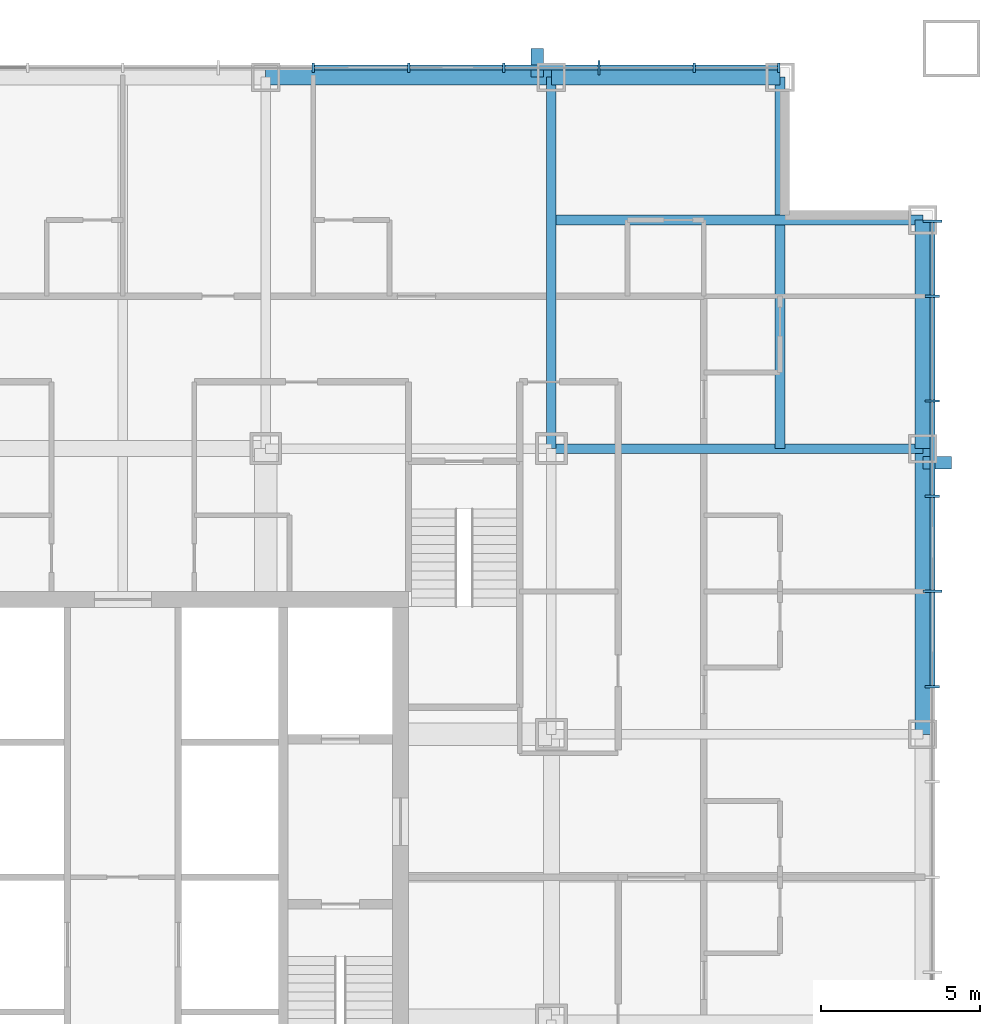
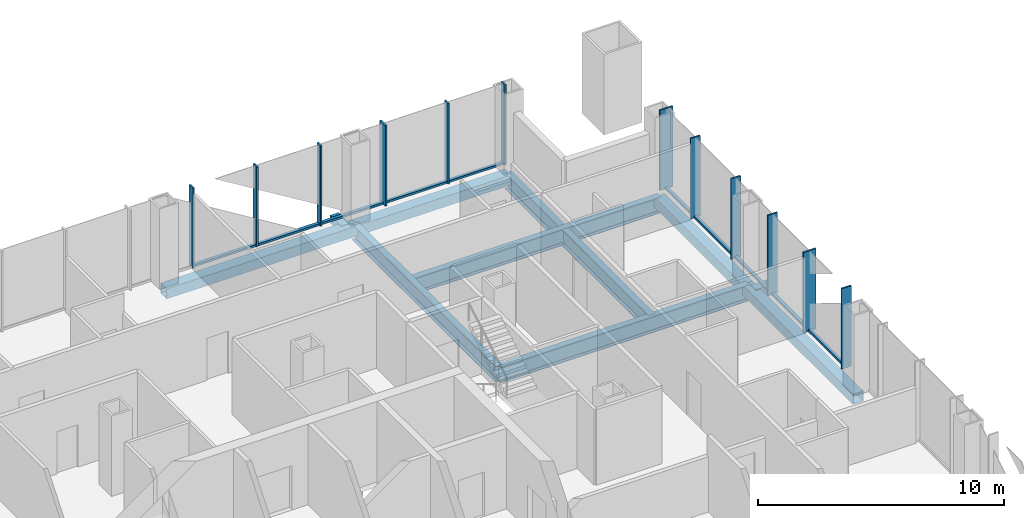
# One storey, part 5 of 13: 24 members, 8 beams, 2 elements without a shape of their own.
"""IFC4 building model written with IfcOpenShell, lengths in metres."""

import ifcopenshell
import ifcopenshell.guid

model = None  # the IFC model being written
_history = None  # IfcOwnerHistory: only IFC2X3 demands one
_inside = {}  # id of a spatial element -> (the spatial element, [elements in it])
_under = {}  # id of a project, library or spatial element -> (it, [spatial elements below it])
_declared = {}  # id of a project -> (the project, [libraries it declares])
_typed = {}  # id of a type object -> (the type object, [elements of that type])
_made_of = {}  # id of a material, layer set ... -> (it, [elements and type objects made of it])


def new_model(schema):
    """Start an empty IFC model of exactly this schema.

    Asked for "IFC4X3", IfcOpenShell would pick the latest addendum, in which some entities
    have other attributes; the version numbers below select the first issue.
    IFC2X3 requires an IfcOwnerHistory on every rooted entity: one is made here for all.
    """
    global model, _history
    if schema == "IFC4X3":
        model = ifcopenshell.file(schema_version=(4, 3, 0, 0))
    else:
        model = ifcopenshell.file(schema=schema)
    _inside.clear()
    _under.clear()
    _declared.clear()
    _typed.clear()
    _made_of.clear()
    _history = None
    if model.schema == "IFC2X3":
        org = make("IfcOrganization", Name="unknown")
        user = make(
            "IfcPersonAndOrganization",
            ThePerson=make("IfcPerson", FamilyName="unknown"),
            TheOrganization=org,
        )
        app = make(
            "IfcApplication",
            ApplicationDeveloper=org,
            Version="unknown",
            ApplicationFullName="unknown",
            ApplicationIdentifier="unknown",
        )
        _history = make(
            "IfcOwnerHistory",
            OwningUser=user,
            OwningApplication=app,
            ChangeAction="ADDED",
            CreationDate=0,
        )
    return model


def make(cls, **values):
    """One entity of the class cls with the attributes given. An attribute that is None is left unset."""
    return model.create_entity(
        cls, **{name: value for name, value in values.items() if value is not None}
    )


def rooted(cls, **values):
    """An entity with a GlobalId (a new one), such as an element, a storey or a relation."""
    return make(cls, GlobalId=ifcopenshell.guid.new(), OwnerHistory=_history, **values)


def si_unit(unit_type, name, prefix=None):
    """IfcSIUnit, for example si_unit("LENGTHUNIT", "METRE", prefix="MILLI")."""
    return make("IfcSIUnit", UnitType=unit_type, Prefix=prefix, Name=name)


def assignment(units):
    """IfcUnitAssignment: the units of a project."""
    return None if units is None else make("IfcUnitAssignment", Units=units)


def point(xyz):
    """IfcCartesianPoint."""
    return None if xyz is None else make("IfcCartesianPoint", Coordinates=xyz)


def direction(xyz):
    """IfcDirection."""
    return None if xyz is None else make("IfcDirection", DirectionRatios=xyz)


def frame(location, z_axis=None, x_axis=None):
    """IfcAxis2Placement3D, a coordinate frame: its origin and axes. An axis left out is left unset."""
    return make(
        "IfcAxis2Placement3D",
        Location=point(location),
        Axis=direction(z_axis),
        RefDirection=direction(x_axis),
    )


def frame_2d(location, x_axis=None):
    """IfcAxis2Placement2D, a coordinate frame in the plane: its origin and x axis."""
    return make(
        "IfcAxis2Placement2D", Location=point(location), RefDirection=direction(x_axis)
    )


def origin():
    """The frame at (0, 0, 0) with its axes left unset."""
    return frame((0.0, 0.0, 0.0))


def origin_2d():
    """The frame at (0, 0) in the plane with its x axis left unset."""
    return frame_2d((0.0, 0.0))


def place(relative_to, where):
    """IfcLocalPlacement: puts the frame where relative to a parent placement (None: the world)."""
    return make(
        "IfcLocalPlacement", PlacementRelTo=relative_to, RelativePlacement=where
    )


def context(
    kind, dimensions, precision=None, world=None, true_north=None, identifier=None
):
    """IfcGeometricRepresentationContext, for example the 3D "Model" context."""
    return make(
        "IfcGeometricRepresentationContext",
        ContextIdentifier=identifier,
        ContextType=kind,
        CoordinateSpaceDimension=dimensions,
        Precision=precision,
        WorldCoordinateSystem=world,
        TrueNorth=true_north,
    )


def subcontext(parent, identifier, kind, view, scale=None):
    """IfcGeometricRepresentationSubContext, for example "Body" below "Model"."""
    return make(
        "IfcGeometricRepresentationSubContext",
        ContextIdentifier=identifier,
        ContextType=kind,
        ParentContext=parent,
        TargetScale=scale,
        TargetView=view,
    )


def project(units=None, contexts=None):
    """IfcProject with its units and contexts."""
    return rooted(
        "IfcProject",
        Name="project",
        RepresentationContexts=contexts,
        UnitsInContext=assignment(units),
    )


def spatial(cls, under=None, at=None, **own):
    """A site, building, storey or space (cls), placed at a placement, below another one or the project."""
    s = rooted(cls, ObjectPlacement=at, **own)
    if under is not None:
        _under.setdefault(under.id(), (under, []))[1].append(s)
    return s


def profile(cls, at=None, kind="AREA", **sizes):
    """A parametric profile (cls). Its sizes go by their IFC names, for example OverallWidth=200.0."""
    return make(cls, ProfileType=kind, Position=at, **sizes)


def rectangle(**sizes):
    """IfcRectangleProfileDef."""
    return profile("IfcRectangleProfileDef", **sizes)


def hollow_rectangle(**sizes):
    """IfcRectangleHollowProfileDef."""
    return profile("IfcRectangleHollowProfileDef", **sizes)


def i_section(**sizes):
    """IfcIShapeProfileDef."""
    return profile("IfcIShapeProfileDef", **sizes)


def extrude(swept, where, along, depth):
    """IfcExtrudedAreaSolid: the profile swept, set in the frame where, extruded along a direction by depth."""
    return make(
        "IfcExtrudedAreaSolid",
        SweptArea=swept,
        Position=where,
        ExtrudedDirection=direction(along),
        Depth=depth,
    )


def shape(context_of_items, identifier, shape_type, items):
    """IfcShapeRepresentation: the items that make up one representation, for example the "Body"."""
    return make(
        "IfcShapeRepresentation",
        ContextOfItems=context_of_items,
        RepresentationIdentifier=identifier,
        RepresentationType=shape_type,
        Items=items,
    )


def material(Name=None, Category=None):
    """IfcMaterial."""
    return make("IfcMaterial", Name=Name, Category=Category)


def layer(
    of_material, thickness, ventilated=None, Name=None, Category=None, Priority=None
):
    """IfcMaterialLayer: one layer of a wall or slab, of a material (None: an air gap)."""
    return make(
        "IfcMaterialLayer",
        Material=of_material,
        LayerThickness=thickness,
        IsVentilated=ventilated,
        Name=Name,
        Category=Category,
        Priority=Priority,
    )


def layer_set(layers, Name=None):
    """IfcMaterialLayerSet."""
    return make("IfcMaterialLayerSet", MaterialLayers=layers, LayerSetName=Name)


def material_profile(
    of_material, cross_section, Name=None, Category=None, Priority=None
):
    """IfcMaterialProfile: a cross section and its material."""
    return make(
        "IfcMaterialProfile",
        Name=Name,
        Material=of_material,
        Profile=cross_section,
        Priority=Priority,
        Category=Category,
    )


def profile_set(profiles, Name=None, composite=None):
    """IfcMaterialProfileSet."""
    return make(
        "IfcMaterialProfileSet",
        Name=Name,
        MaterialProfiles=profiles,
        CompositeProfile=composite,
    )


def made_of(thing, what):
    """Note that an element or type object is made of a material, layer set ...; save() writes the relation."""
    if what is not None:
        _made_of.setdefault(what.id(), (what, []))[1].append(thing)
    return thing


def type_object(cls, material=None, **own):
    """A type object (cls), such as IfcWallType, which elements share."""
    return made_of(rooted(cls, **own), material)


def element(
    cls,
    number,
    at=None,
    inside=None,
    cuts=None,
    type_object=None,
    material=None,
    context=None,
    identifier="Body",
    shape_type=None,
    held_by="IfcProductDefinitionShape",
    body=None,
    shapes=None,
    **own,
):
    """One element of the class cls, such as IfcWall. Its Tag is "e" and its number.

    at: its placement. inside: the storey or other place that contains it. cuts: it is an
    opening in that element (IfcRelVoidsElement). A single representation is given by context,
    identifier, shape_type and body (its items); several are given by shapes. held_by: the class
    of the entity that holds the representations. save() writes the other relations.
    """
    e = rooted(cls, Tag="e%d" % number, ObjectPlacement=at, **own)
    if body is not None:
        shapes = [shape(context, identifier, shape_type, body)]
    if shapes is not None:
        e.Representation = make(held_by, Representations=shapes)
    if inside is not None:
        _inside.setdefault(inside.id(), (inside, []))[1].append(e)
    if cuts is not None:
        rooted(
            "IfcRelVoidsElement", RelatingBuildingElement=cuts, RelatedOpeningElement=e
        )
    if type_object is not None:
        _typed.setdefault(type_object.id(), (type_object, []))[1].append(e)
    return made_of(e, material)


def aggregate(whole, parts):
    """IfcRelAggregates: a whole, such as a stair, and the parts it consists of."""
    return rooted("IfcRelAggregates", RelatingObject=whole, RelatedObjects=parts)


def save(model, path):
    """Write the relations noted so far, then the file.

    IfcRelAggregates (storeys below a building ...), IfcRelContainedInSpatialStructure (elements
    in a storey), IfcRelDefinesByType, IfcRelAssociatesMaterial and IfcRelDeclares: one each for
    every whole, place, type object, material and project.
    """
    for whole, parts in _under.values():
        aggregate(whole, parts)
    for where, things in _inside.values():
        rooted(
            "IfcRelContainedInSpatialStructure",
            RelatedElements=things,
            RelatingStructure=where,
        )
    for kind, things in _typed.values():
        rooted("IfcRelDefinesByType", RelatedObjects=things, RelatingType=kind)
    for what, things in _made_of.values():
        rooted("IfcRelAssociatesMaterial", RelatedObjects=things, RelatingMaterial=what)
    for by, libraries in _declared.values():
        rooted("IfcRelDeclares", RelatingContext=by, RelatedDefinitions=libraries)
    model.write(path)


model = new_model("IFC4")

# Units and contexts
model_context = context("Model", 3, precision=1e-05, world=origin(), true_north=direction((0.0, 1.0)))
body_context = subcontext(model_context, "Body", "Model", "MODEL_VIEW")
ifc_project = project(units=[si_unit("LENGTHUNIT", "METRE"), si_unit("AREAUNIT", "SQUARE_METRE"), si_unit("VOLUMEUNIT", "CUBIC_METRE"), si_unit("PLANEANGLEUNIT", "RADIAN"), si_unit("MASSUNIT", "GRAM", prefix="KILO")], contexts=[model_context])

# Site, building, storey
site_placement = place(None, origin())
site = spatial("IfcSite", under=ifc_project, at=site_placement, CompositionType="ELEMENT")
building_placement = place(site_placement, origin())
building = spatial("IfcBuilding", under=site, at=building_placement, Name="Malebo Sky Hospital", CompositionType="ELEMENT")
storey_placement = place(building_placement, frame((0.0, 0.0, 39.0)))
storey = spatial("IfcBuildingStorey", under=building, at=storey_placement, Name="L08", CompositionType="ELEMENT", Elevation=39.0)

# Curtain wall, members
ifc_material_1 = material(Name="Anodised aluminium, natural silver", Category="aluminium")
ifc_layer_1 = layer(ifc_material_1, 0.25)
ifc_layer_set_1 = layer_set([ifc_layer_1], Name="WARD CURTAIN WALL NORTH AND SOUTH")
curtain_wall_type_1 = type_object("IfcCurtainWallType", Name="WARD CURTAIN WALL NORTH AND SOUTH", PredefinedType="NOTDEFINED", material=ifc_layer_set_1)
curtain_wall_1_placement = place(storey_placement, origin())
curtain_wall_1 = element("IfcCurtainWall", 1, at=curtain_wall_1_placement, inside=storey, type_object=curtain_wall_type_1, Name="NS curtain wall N", PredefinedType="NOTDEFINED")
ifc_material_profile_1 = material_profile(ifc_material_1, rectangle(XDim=0.14990234375, YDim=0.10009765625, at=origin_2d()), Name="ALUMINIUM TRANSOM 150x100")
ifc_profile_set_1 = profile_set([ifc_material_profile_1], Name="Anodised aluminium, natural silver")
member_type_1 = type_object("IfcMemberType", Name="ALUMINIUM TRANSOM 150x100", PredefinedType="USERDEFINED", material=ifc_profile_set_1)
member_1_placement = place(storey_placement, frame((66.03759765625, 87.5, 0.050048828125), z_axis=(1.0, 0.0, 0.0), x_axis=(0.0, 1.0, 0.0)))
member_1 = element("IfcMember", 2, at=member_1_placement, type_object=member_type_1, Name="Transom 10", ObjectType="TRANSOM", PredefinedType="USERDEFINED", context=body_context, shape_type="SweptSolid", body=[
    extrude(rectangle(XDim=0.14990234375, YDim=0.10009765625, at=origin_2d()), origin(), (0.0, 0.0, 1.0), 2.9248046875),
])
member_2_placement = place(storey_placement, frame((69.03759765625, 87.5, 0.050048828125), z_axis=(1.0, 0.0, 0.0), x_axis=(0.0, 1.0, 0.0)))
member_2 = element("IfcMember", 3, at=member_2_placement, type_object=member_type_1, Name="Transom 11", ObjectType="TRANSOM", PredefinedType="USERDEFINED", context=body_context, shape_type="SweptSolid", body=[
    extrude(rectangle(XDim=0.14990234375, YDim=0.10009765625, at=origin_2d()), origin(), (0.0, 0.0, 1.0), 2.9248046875),
])
member_3_placement = place(storey_placement, frame((72.03759765625, 87.5, 0.050048828125), z_axis=(1.0, 0.0, 0.0), x_axis=(0.0, 1.0, 0.0)))
member_3 = element("IfcMember", 4, at=member_3_placement, type_object=member_type_1, Name="Transom 12", ObjectType="TRANSOM", PredefinedType="USERDEFINED", context=body_context, shape_type="SweptSolid", body=[
    extrude(rectangle(XDim=0.14990234375, YDim=0.10009765625, at=origin_2d()), origin(), (0.0, 0.0, 1.0), 2.9248046875),
])
member_4_placement = place(storey_placement, frame((75.03759765625, 87.5, 0.050048828125), z_axis=(1.0, 0.0, 0.0), x_axis=(0.0, 1.0, 0.0)))
member_4 = element("IfcMember", 5, at=member_4_placement, type_object=member_type_1, Name="Transom 13", ObjectType="TRANSOM", PredefinedType="USERDEFINED", context=body_context, shape_type="SweptSolid", body=[
    extrude(rectangle(XDim=0.14990234375, YDim=0.10009765625, at=origin_2d()), origin(), (0.0, 0.0, 1.0), 2.9248046875),
])
member_5_placement = place(storey_placement, frame((78.03759765625, 87.5, 0.050048828125), z_axis=(1.0, 0.0, 0.0), x_axis=(0.0, 1.0, 0.0)))
member_5 = element("IfcMember", 6, at=member_5_placement, type_object=member_type_1, Name="Transom 14", ObjectType="TRANSOM", PredefinedType="USERDEFINED", context=body_context, shape_type="SweptSolid", body=[
    extrude(rectangle(XDim=0.14990234375, YDim=0.10009765625, at=origin_2d()), origin(), (0.0, 0.0, 1.0), 2.58740234375),
])

ifc_layer_2 = layer(ifc_material_1, 0.25)
ifc_layer_set_2 = layer_set([ifc_layer_2], Name="WARD CURTAIN WALL EAST AND WEST")
curtain_wall_type_2 = type_object("IfcCurtainWallType", Name="WARD CURTAIN WALL EAST AND WEST", PredefinedType="NOTDEFINED", material=ifc_layer_set_2)
curtain_wall_2_placement = place(storey_placement, origin())
curtain_wall_2 = element("IfcCurtainWall", 7, at=curtain_wall_2_placement, inside=storey, type_object=curtain_wall_type_2, Name="EW curtain wall E", PredefinedType="NOTDEFINED")
member_6_placement = place(storey_placement, frame((85.5, 82.625, 0.050048828125), z_axis=(0.0, -1.0, 0.0), x_axis=(1.0, 0.0, 0.0)))
member_6 = element("IfcMember", 8, at=member_6_placement, type_object=member_type_1, Name="Transom 1", ObjectType="TRANSOM", PredefinedType="USERDEFINED", context=body_context, shape_type="SweptSolid", body=[
    extrude(rectangle(XDim=0.14990234375, YDim=0.10009765625, at=origin_2d()), origin(), (0.0, 0.0, 1.0), 2.28759765625),
])
member_7_placement = place(storey_placement, frame((85.5, 80.262451171875, 0.050048828125), z_axis=(0.0, -1.0, 0.0), x_axis=(1.0, 0.0, 0.0)))
member_7 = element("IfcMember", 9, at=member_7_placement, type_object=member_type_1, Name="Transom 2", ObjectType="TRANSOM", PredefinedType="USERDEFINED", context=body_context, shape_type="SweptSolid", body=[
    extrude(rectangle(XDim=0.14990234375, YDim=0.10009765625, at=origin_2d()), origin(), (0.0, 0.0, 1.0), 3.224853515625),
])
member_8_placement = place(storey_placement, frame((85.5, 76.96240234375, 0.050048828125), z_axis=(0.0, -1.0, 0.0), x_axis=(1.0, 0.0, 0.0)))
member_8 = element("IfcMember", 10, at=member_8_placement, type_object=member_type_1, Name="Transom 3", ObjectType="TRANSOM", PredefinedType="USERDEFINED", context=body_context, shape_type="SweptSolid", body=[
    extrude(rectangle(XDim=0.14990234375, YDim=0.10009765625, at=origin_2d()), origin(), (0.0, 0.0, 1.0), 2.9248046875),
])
member_9_placement = place(storey_placement, frame((85.5, 73.96240234375, 0.050048828125), z_axis=(0.0, -1.0, 0.0), x_axis=(1.0, 0.0, 0.0)))
member_9 = element("IfcMember", 11, at=member_9_placement, type_object=member_type_1, Name="Transom 4", ObjectType="TRANSOM", PredefinedType="USERDEFINED", context=body_context, shape_type="SweptSolid", body=[
    extrude(rectangle(XDim=0.14990234375, YDim=0.10009765625, at=origin_2d()), origin(), (0.0, 0.0, 1.0), 2.9248046875),
])
member_10_placement = place(storey_placement, frame((85.5, 70.96240234375, 0.050048828125), z_axis=(0.0, -1.0, 0.0), x_axis=(1.0, 0.0, 0.0)))
member_10 = element("IfcMember", 12, at=member_10_placement, type_object=member_type_1, Name="Transom 5", ObjectType="TRANSOM", PredefinedType="USERDEFINED", context=body_context, shape_type="SweptSolid", body=[
    extrude(rectangle(XDim=0.14990234375, YDim=0.10009765625, at=origin_2d()), origin(), (0.0, 0.0, 1.0), 2.9248046875),
])

# Members
ifc_material_2 = material(Name="Steel S355", Category="steel")
ifc_material_profile_2 = material_profile(ifc_material_2, hollow_rectangle(XDim=0.39990234375, YDim=0.39990234375, WallThickness=0.02001953125, at=origin_2d()), Name="SHS 400x20")
ifc_profile_set_2 = profile_set([ifc_material_profile_2], Name="Steel S355")
member_type_2 = type_object("IfcMemberType", Name="BRACE STRUT SHS 400x20", PredefinedType="STRUT", material=ifc_profile_set_2)
for number, where, z_axis, x_axis, name in (
    (13, (73.050048828125, 88.10009765625, -0.39990234375), (0.0, -1.0, 0.0), (1.0, 0.0, 0.0), "Brace strut AN1 L08"),
    (14, (86.10009765625, 75.050048828125, -0.39990234375), (-1.0, 0.0, 0.0), (0.0, -1.0, 0.0), "Brace strut AE2 L08"),
):
    element("IfcMember", number, at=place(storey_placement, frame(where, z_axis=z_axis, x_axis=x_axis)), inside=storey, type_object=member_type_2, Name=name, PredefinedType="STRUT", context=body_context, shape_type="SweptSolid", body=[
        extrude(hollow_rectangle(XDim=0.39990234375, YDim=0.39990234375, WallThickness=0.02001953125, at=origin_2d()), origin(), (0.0, 0.0, 1.0), 0.900146484375),
    ])

# Member
ifc_material_profile_3 = material_profile(ifc_material_1, rectangle(XDim=0.074951171875, YDim=0.300048828125, at=origin_2d()), Name="CW1 ALUMINIUM FIN MULLION 75x300")
ifc_profile_set_3 = profile_set([ifc_material_profile_3], Name="Anodised aluminium, natural silver")
member_type_3 = type_object("IfcMemberType", Name="CW1 ALUMINIUM FIN MULLION 75x300", PredefinedType="MULLION", material=ifc_profile_set_3)
member_11_placement = place(storey_placement, frame((66.0, 87.5, 0.0), z_axis=(0.0, 0.0, 1.0), x_axis=(1.0, 0.0, 0.0)))
member_11 = element("IfcMember", 15, at=member_11_placement, type_object=member_type_3, Name="Fin mullion 10", PredefinedType="MULLION", context=body_context, shape_type="SweptSolid", body=[
    extrude(rectangle(XDim=0.074951171875, YDim=0.300048828125, at=origin_2d()), origin(), (0.0, 0.0, 1.0), 4.0),
])

member_12_placement = place(storey_placement, frame((69.0, 87.5, 0.0), z_axis=(0.0, 0.0, 1.0), x_axis=(1.0, 0.0, 0.0)))
member_12 = element("IfcMember", 16, at=member_12_placement, type_object=member_type_3, Name="Fin mullion 11", PredefinedType="MULLION", context=body_context, shape_type="SweptSolid", body=[
    extrude(rectangle(XDim=0.074951171875, YDim=0.300048828125, at=origin_2d()), origin(), (0.0, 0.0, 1.0), 4.0),
])

member_13_placement = place(storey_placement, frame((72.0, 87.5, 0.0), z_axis=(0.0, 0.0, 1.0), x_axis=(1.0, 0.0, 0.0)))
member_13 = element("IfcMember", 17, at=member_13_placement, type_object=member_type_3, Name="Fin mullion 12", PredefinedType="MULLION", context=body_context, shape_type="SweptSolid", body=[
    extrude(rectangle(XDim=0.074951171875, YDim=0.300048828125, at=origin_2d()), origin(), (0.0, 0.0, 1.0), 4.0),
])

member_14_placement = place(storey_placement, frame((78.0, 87.5, 0.0), z_axis=(0.0, 0.0, 1.0), x_axis=(1.0, 0.0, 0.0)))
member_14 = element("IfcMember", 18, at=member_14_placement, type_object=member_type_3, Name="Fin mullion 14", PredefinedType="MULLION", context=body_context, shape_type="SweptSolid", body=[
    extrude(rectangle(XDim=0.074951171875, YDim=0.300048828125, at=origin_2d()), origin(), (0.0, 0.0, 1.0), 4.0),
])

member_15_placement = place(storey_placement, frame((80.66259765625, 87.5, 0.0), z_axis=(0.0, 0.0, 1.0), x_axis=(1.0, 0.0, 0.0)))
member_15 = element("IfcMember", 19, at=member_15_placement, type_object=member_type_3, Name="Fin mullion 15", PredefinedType="MULLION", context=body_context, shape_type="SweptSolid", body=[
    extrude(rectangle(XDim=0.074951171875, YDim=0.300048828125, at=origin_2d()), origin(), (0.0, 0.0, 1.0), 4.0),
])

ifc_material_profile_4 = material_profile(ifc_material_1, rectangle(XDim=0.074951171875, YDim=0.449951171875, at=origin_2d()), Name="CW1 ALUMINIUM FIN MULLION 75x450")
ifc_profile_set_4 = profile_set([ifc_material_profile_4], Name="Anodised aluminium, natural silver")
member_type_4 = type_object("IfcMemberType", Name="CW1 ALUMINIUM FIN MULLION 75x450", PredefinedType="MULLION", material=ifc_profile_set_4)
member_16_placement = place(storey_placement, frame((75.0, 87.5, 0.0), z_axis=(0.0, 0.0, 1.0), x_axis=(1.0, 0.0, 0.0)))
member_16 = element("IfcMember", 20, at=member_16_placement, type_object=member_type_4, Name="Fin mullion 13", PredefinedType="MULLION", context=body_context, shape_type="SweptSolid", body=[
    extrude(rectangle(XDim=0.074951171875, YDim=0.449951171875, at=origin_2d()), origin(), (0.0, 0.0, 1.0), 4.0),
])

aggregate(curtain_wall_1, [member_11, member_12, member_13, member_16, member_14, member_15, member_1, member_2, member_3, member_4, member_5])

ifc_material_profile_5 = material_profile(ifc_material_1, rectangle(XDim=0.074951171875, YDim=0.449951171875, at=origin_2d()), Name="CW2 ALUMINIUM FIN MULLION 75x450")
ifc_profile_set_5 = profile_set([ifc_material_profile_5], Name="Anodised aluminium, natural silver")
member_type_5 = type_object("IfcMemberType", Name="CW2 ALUMINIUM FIN MULLION 75x450", PredefinedType="MULLION", material=ifc_profile_set_5)
member_17_placement = place(storey_placement, frame((85.5, 80.300048828125, 0.0), z_axis=(0.0, 0.0, 1.0), x_axis=(0.0, -1.0, 0.0)))
member_17 = element("IfcMember", 21, at=member_17_placement, type_object=member_type_5, Name="Fin mullion 2", PredefinedType="MULLION", context=body_context, shape_type="SweptSolid", body=[
    extrude(rectangle(XDim=0.074951171875, YDim=0.449951171875, at=origin_2d()), origin(), (0.0, 0.0, 1.0), 4.0),
])

member_18_placement = place(storey_placement, frame((85.5, 77.0, 0.0), z_axis=(0.0, 0.0, 1.0), x_axis=(0.0, -1.0, 0.0)))
member_18 = element("IfcMember", 22, at=member_18_placement, type_object=member_type_5, Name="Fin mullion 3", PredefinedType="MULLION", context=body_context, shape_type="SweptSolid", body=[
    extrude(rectangle(XDim=0.074951171875, YDim=0.449951171875, at=origin_2d()), origin(), (0.0, 0.0, 1.0), 4.0),
])

member_19_placement = place(storey_placement, frame((85.5, 74.0, 0.0), z_axis=(0.0, 0.0, 1.0), x_axis=(0.0, -1.0, 0.0)))
member_19 = element("IfcMember", 23, at=member_19_placement, type_object=member_type_5, Name="Fin mullion 4", PredefinedType="MULLION", context=body_context, shape_type="SweptSolid", body=[
    extrude(rectangle(XDim=0.074951171875, YDim=0.449951171875, at=origin_2d()), origin(), (0.0, 0.0, 1.0), 4.0),
])

member_20_placement = place(storey_placement, frame((85.5, 68.0, 0.0), z_axis=(0.0, 0.0, 1.0), x_axis=(0.0, -1.0, 0.0)))
member_20 = element("IfcMember", 24, at=member_20_placement, type_object=member_type_5, Name="Fin mullion 6", PredefinedType="MULLION", context=body_context, shape_type="SweptSolid", body=[
    extrude(rectangle(XDim=0.074951171875, YDim=0.449951171875, at=origin_2d()), origin(), (0.0, 0.0, 1.0), 4.0),
])

ifc_material_profile_6 = material_profile(ifc_material_1, rectangle(XDim=0.074951171875, YDim=0.60009765625, at=origin_2d()), Name="CW2 ALUMINIUM FIN MULLION 75x600")
ifc_profile_set_6 = profile_set([ifc_material_profile_6], Name="Anodised aluminium, natural silver")
member_type_6 = type_object("IfcMemberType", Name="CW2 ALUMINIUM FIN MULLION 75x600", PredefinedType="MULLION", material=ifc_profile_set_6)
member_21_placement = place(storey_placement, frame((85.5, 82.66259765625, 0.0), z_axis=(0.0, 0.0, 1.0), x_axis=(0.0, -1.0, 0.0)))
member_21 = element("IfcMember", 25, at=member_21_placement, type_object=member_type_6, Name="Fin mullion 1", PredefinedType="MULLION", context=body_context, shape_type="SweptSolid", body=[
    extrude(rectangle(XDim=0.074951171875, YDim=0.60009765625, at=origin_2d()), origin(), (0.0, 0.0, 1.0), 4.0),
])

member_22_placement = place(storey_placement, frame((85.5, 71.0, 0.0), z_axis=(0.0, 0.0, 1.0), x_axis=(0.0, -1.0, 0.0)))
member_22 = element("IfcMember", 26, at=member_22_placement, type_object=member_type_6, Name="Fin mullion 5", PredefinedType="MULLION", context=body_context, shape_type="SweptSolid", body=[
    extrude(rectangle(XDim=0.074951171875, YDim=0.60009765625, at=origin_2d()), origin(), (0.0, 0.0, 1.0), 4.0),
])

aggregate(curtain_wall_2, [member_21, member_17, member_18, member_19, member_22, member_20, member_6, member_7, member_8, member_9, member_10])

# Beams
ifc_material_3 = material(Name="Steel S460", Category="steel")
ifc_material_profile_7 = material_profile(ifc_material_3, hollow_rectangle(XDim=0.5, YDim=0.5, WallThickness=0.030029296875, at=origin_2d()), Name="BOX 500x500x30")
ifc_profile_set_7 = profile_set([ifc_material_profile_7], Name="Steel S460")
beam_type_1 = type_object("IfcBeamType", Name="EDGE BEAM BOX 500x500x30", PredefinedType="BEAM", material=ifc_profile_set_7)
beam_1_placement = place(storey_placement, frame((85.199951171875, 66.5, -0.5), z_axis=(0.0, 1.0, 0.0), x_axis=(-1.0, 0.0, 0.0)))
element("IfcBeam", 27, at=beam_1_placement, inside=storey, type_object=beam_type_1, Name="Beam 032 L08", PredefinedType="BEAM", context=body_context, shape_type="SweptSolid", body=[
    extrude(hollow_rectangle(XDim=0.5, YDim=0.5, WallThickness=0.030029296875, at=origin_2d()), origin(), (0.0, 0.0, 1.0), 9.0),
])
beam_2_placement = place(storey_placement, frame((85.199951171875, 75.5, -0.5), z_axis=(0.0, 1.0, 0.0), x_axis=(-1.0, 0.0, 0.0)))
element("IfcBeam", 28, at=beam_2_placement, inside=storey, type_object=beam_type_1, Name="Beam 033 L08", PredefinedType="BEAM", context=body_context, shape_type="SweptSolid", body=[
    extrude(hollow_rectangle(XDim=0.5, YDim=0.5, WallThickness=0.030029296875, at=origin_2d()), origin(), (0.0, 0.0, 1.0), 7.199951171875),
])
beam_3_placement = place(storey_placement, frame((64.5, 87.199951171875, -0.5), z_axis=(1.0, 0.0, 0.0), x_axis=(0.0, 1.0, 0.0)))
element("IfcBeam", 29, at=beam_3_placement, inside=storey, type_object=beam_type_1, Name="Beam 066 L08", PredefinedType="BEAM", context=body_context, shape_type="SweptSolid", body=[
    extrude(hollow_rectangle(XDim=0.5, YDim=0.5, WallThickness=0.030029296875, at=origin_2d()), origin(), (0.0, 0.0, 1.0), 9.0),
])
beam_4_placement = place(storey_placement, frame((73.5, 87.199951171875, -0.5), z_axis=(1.0, 0.0, 0.0), x_axis=(0.0, 1.0, 0.0)))
element("IfcBeam", 30, at=beam_4_placement, inside=storey, type_object=beam_type_1, Name="Beam 067 L08", PredefinedType="BEAM", context=body_context, shape_type="SweptSolid", body=[
    extrude(hollow_rectangle(XDim=0.5, YDim=0.5, WallThickness=0.030029296875, at=origin_2d()), origin(), (0.0, 0.0, 1.0), 7.199951171875),
])
ifc_material_profile_8 = material_profile(ifc_material_2, i_section(OverallWidth=0.300048828125, OverallDepth=0.800048828125, WebThickness=0.017578125, FlangeThickness=0.032958984375, FilletRadius=0.030029296875, at=origin_2d()), Name="HEB 800")
ifc_profile_set_8 = profile_set([ifc_material_profile_8], Name="Steel S355")
beam_type_2 = type_object("IfcBeamType", Name="FLOOR BEAM HEB 800", PredefinedType="BEAM", material=ifc_profile_set_8)
for number, where, z_axis, x_axis, name in (
    (31, (80.699951171875, 75.5, -0.64990234375), (0.0, 1.0, 0.0), (-1.0, 0.0, 0.0), "Beam 028 L08"),
    (32, (73.5, 82.699951171875, -0.64990234375), (1.0, 0.0, 0.0), (0.0, 1.0, 0.0), "Beam 062 L08"),
):
    element("IfcBeam", number, at=place(storey_placement, frame(where, z_axis=z_axis, x_axis=x_axis)), inside=storey, type_object=beam_type_2, Name=name, PredefinedType="BEAM", context=body_context, shape_type="SweptSolid", body=[
        extrude(i_section(OverallWidth=0.300048828125, OverallDepth=0.800048828125, WebThickness=0.017578125, FlangeThickness=0.032958984375, FilletRadius=0.030029296875, at=origin_2d()), origin(), (0.0, 0.0, 1.0), 11.699951171875),
    ])
ifc_material_profile_9 = material_profile(ifc_material_2, i_section(OverallWidth=0.300048828125, OverallDepth=0.800048828125, WebThickness=0.017578125, FlangeThickness=0.032958984375, FilletRadius=0.030029296875, at=origin_2d()), Name="HEB 800")
ifc_profile_set_9 = profile_set([ifc_material_profile_9], Name="Steel S355")
beam_type_3 = type_object("IfcBeamType", Name="FLOOR GIRDER HEB 800", PredefinedType="BEAM", material=ifc_profile_set_9)
for number, where, z_axis, x_axis, name in (
    (33, (73.5, 75.5, -0.64990234375), (0.0, 1.0, 0.0), (-1.0, 0.0, 0.0), "Beam 026 L08"),
    (34, (73.5, 75.5, -0.64990234375), (1.0, 0.0, 0.0), (0.0, 1.0, 0.0), "Beam 060 L08"),
):
    element("IfcBeam", number, at=place(storey_placement, frame(where, z_axis=z_axis, x_axis=x_axis)), inside=storey, type_object=beam_type_3, Name=name, PredefinedType="BEAM", context=body_context, shape_type="SweptSolid", body=[
        extrude(i_section(OverallWidth=0.300048828125, OverallDepth=0.800048828125, WebThickness=0.017578125, FlangeThickness=0.032958984375, FilletRadius=0.030029296875, at=origin_2d()), origin(), (0.0, 0.0, 1.0), 11.699951171875),
    ])

save(model, "model.ifc")
